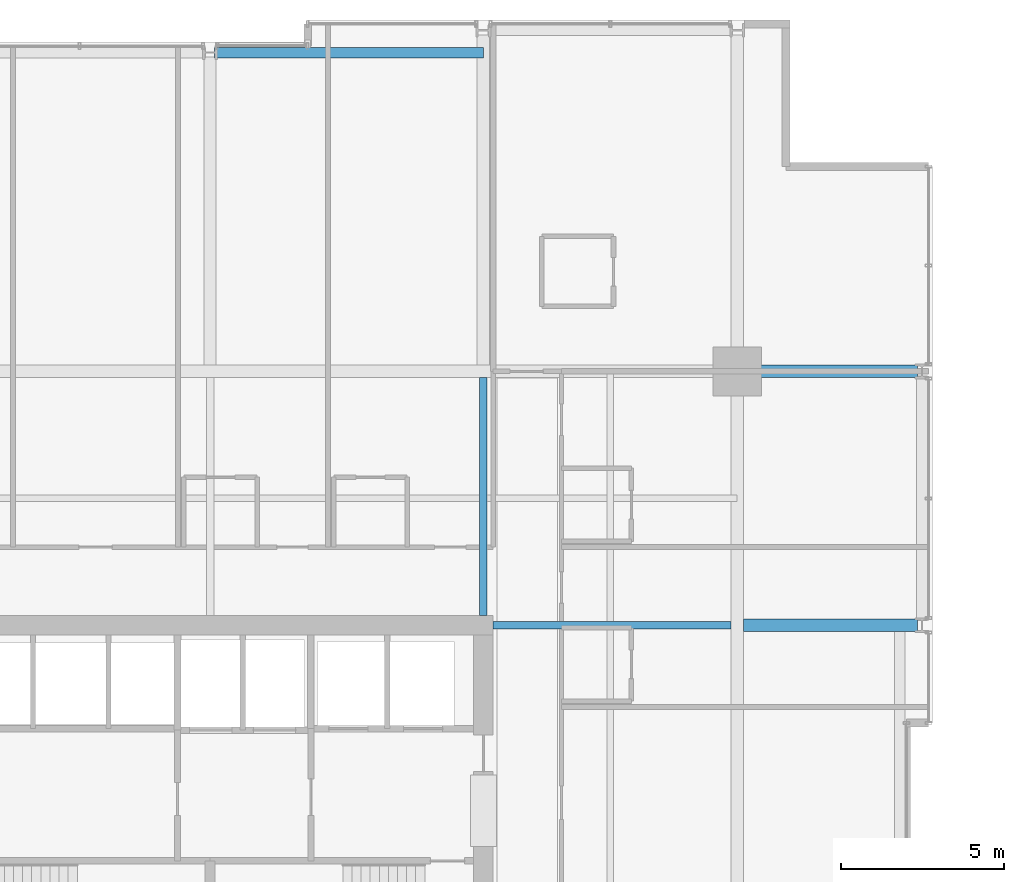
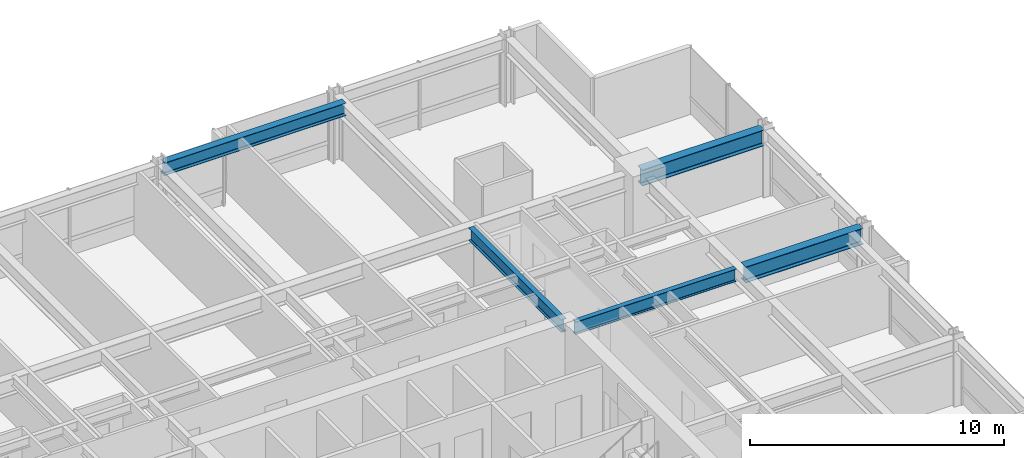
# One storey, part 23 of 35: 5 beams.
"""IFC4 building model written with IfcOpenShell, lengths in metres."""

import ifcopenshell
import ifcopenshell.guid

model = None  # the IFC model being written
_history = None  # IfcOwnerHistory: only IFC2X3 demands one
_inside = {}  # id of a spatial element -> (the spatial element, [elements in it])
_under = {}  # id of a project, library or spatial element -> (it, [spatial elements below it])
_declared = {}  # id of a project -> (the project, [libraries it declares])
_typed = {}  # id of a type object -> (the type object, [elements of that type])
_made_of = {}  # id of a material, layer set ... -> (it, [elements and type objects made of it])


def new_model(schema):
    """Start an empty IFC model of exactly this schema.

    Asked for "IFC4X3", IfcOpenShell would pick the latest addendum, in which some entities
    have other attributes; the version numbers below select the first issue.
    IFC2X3 requires an IfcOwnerHistory on every rooted entity: one is made here for all.
    """
    global model, _history
    if schema == "IFC4X3":
        model = ifcopenshell.file(schema_version=(4, 3, 0, 0))
    else:
        model = ifcopenshell.file(schema=schema)
    _inside.clear()
    _under.clear()
    _declared.clear()
    _typed.clear()
    _made_of.clear()
    _history = None
    if model.schema == "IFC2X3":
        org = make("IfcOrganization", Name="unknown")
        user = make(
            "IfcPersonAndOrganization",
            ThePerson=make("IfcPerson", FamilyName="unknown"),
            TheOrganization=org,
        )
        app = make(
            "IfcApplication",
            ApplicationDeveloper=org,
            Version="unknown",
            ApplicationFullName="unknown",
            ApplicationIdentifier="unknown",
        )
        _history = make(
            "IfcOwnerHistory",
            OwningUser=user,
            OwningApplication=app,
            ChangeAction="ADDED",
            CreationDate=0,
        )
    return model


def make(cls, **values):
    """One entity of the class cls with the attributes given. An attribute that is None is left unset."""
    return model.create_entity(
        cls, **{name: value for name, value in values.items() if value is not None}
    )


def rooted(cls, **values):
    """An entity with a GlobalId (a new one), such as an element, a storey or a relation."""
    return make(cls, GlobalId=ifcopenshell.guid.new(), OwnerHistory=_history, **values)


def si_unit(unit_type, name, prefix=None):
    """IfcSIUnit, for example si_unit("LENGTHUNIT", "METRE", prefix="MILLI")."""
    return make("IfcSIUnit", UnitType=unit_type, Prefix=prefix, Name=name)


def assignment(units):
    """IfcUnitAssignment: the units of a project."""
    return None if units is None else make("IfcUnitAssignment", Units=units)


def point(xyz):
    """IfcCartesianPoint."""
    return None if xyz is None else make("IfcCartesianPoint", Coordinates=xyz)


def direction(xyz):
    """IfcDirection."""
    return None if xyz is None else make("IfcDirection", DirectionRatios=xyz)


def frame(location, z_axis=None, x_axis=None):
    """IfcAxis2Placement3D, a coordinate frame: its origin and axes. An axis left out is left unset."""
    return make(
        "IfcAxis2Placement3D",
        Location=point(location),
        Axis=direction(z_axis),
        RefDirection=direction(x_axis),
    )


def frame_2d(location, x_axis=None):
    """IfcAxis2Placement2D, a coordinate frame in the plane: its origin and x axis."""
    return make(
        "IfcAxis2Placement2D", Location=point(location), RefDirection=direction(x_axis)
    )


def origin():
    """The frame at (0, 0, 0) with its axes left unset."""
    return frame((0.0, 0.0, 0.0))


def origin_2d():
    """The frame at (0, 0) in the plane with its x axis left unset."""
    return frame_2d((0.0, 0.0))


def place(relative_to, where):
    """IfcLocalPlacement: puts the frame where relative to a parent placement (None: the world)."""
    return make(
        "IfcLocalPlacement", PlacementRelTo=relative_to, RelativePlacement=where
    )


def context(
    kind, dimensions, precision=None, world=None, true_north=None, identifier=None
):
    """IfcGeometricRepresentationContext, for example the 3D "Model" context."""
    return make(
        "IfcGeometricRepresentationContext",
        ContextIdentifier=identifier,
        ContextType=kind,
        CoordinateSpaceDimension=dimensions,
        Precision=precision,
        WorldCoordinateSystem=world,
        TrueNorth=true_north,
    )


def subcontext(parent, identifier, kind, view, scale=None):
    """IfcGeometricRepresentationSubContext, for example "Body" below "Model"."""
    return make(
        "IfcGeometricRepresentationSubContext",
        ContextIdentifier=identifier,
        ContextType=kind,
        ParentContext=parent,
        TargetScale=scale,
        TargetView=view,
    )


def project(units=None, contexts=None):
    """IfcProject with its units and contexts."""
    return rooted(
        "IfcProject",
        Name="project",
        RepresentationContexts=contexts,
        UnitsInContext=assignment(units),
    )


def spatial(cls, under=None, at=None, **own):
    """A site, building, storey or space (cls), placed at a placement, below another one or the project."""
    s = rooted(cls, ObjectPlacement=at, **own)
    if under is not None:
        _under.setdefault(under.id(), (under, []))[1].append(s)
    return s


def profile(cls, at=None, kind="AREA", **sizes):
    """A parametric profile (cls). Its sizes go by their IFC names, for example OverallWidth=200.0."""
    return make(cls, ProfileType=kind, Position=at, **sizes)


def i_section(**sizes):
    """IfcIShapeProfileDef."""
    return profile("IfcIShapeProfileDef", **sizes)


def extrude(swept, where, along, depth):
    """IfcExtrudedAreaSolid: the profile swept, set in the frame where, extruded along a direction by depth."""
    return make(
        "IfcExtrudedAreaSolid",
        SweptArea=swept,
        Position=where,
        ExtrudedDirection=direction(along),
        Depth=depth,
    )


def shape(context_of_items, identifier, shape_type, items):
    """IfcShapeRepresentation: the items that make up one representation, for example the "Body"."""
    return make(
        "IfcShapeRepresentation",
        ContextOfItems=context_of_items,
        RepresentationIdentifier=identifier,
        RepresentationType=shape_type,
        Items=items,
    )


def material(Name=None, Category=None):
    """IfcMaterial."""
    return make("IfcMaterial", Name=Name, Category=Category)


def material_profile(
    of_material, cross_section, Name=None, Category=None, Priority=None
):
    """IfcMaterialProfile: a cross section and its material."""
    return make(
        "IfcMaterialProfile",
        Name=Name,
        Material=of_material,
        Profile=cross_section,
        Priority=Priority,
        Category=Category,
    )


def profile_set(profiles, Name=None, composite=None):
    """IfcMaterialProfileSet."""
    return make(
        "IfcMaterialProfileSet",
        Name=Name,
        MaterialProfiles=profiles,
        CompositeProfile=composite,
    )


def made_of(thing, what):
    """Note that an element or type object is made of a material, layer set ...; save() writes the relation."""
    if what is not None:
        _made_of.setdefault(what.id(), (what, []))[1].append(thing)
    return thing


def type_object(cls, material=None, **own):
    """A type object (cls), such as IfcWallType, which elements share."""
    return made_of(rooted(cls, **own), material)


def element(
    cls,
    number,
    at=None,
    inside=None,
    cuts=None,
    type_object=None,
    material=None,
    context=None,
    identifier="Body",
    shape_type=None,
    held_by="IfcProductDefinitionShape",
    body=None,
    shapes=None,
    **own,
):
    """One element of the class cls, such as IfcWall. Its Tag is "e" and its number.

    at: its placement. inside: the storey or other place that contains it. cuts: it is an
    opening in that element (IfcRelVoidsElement). A single representation is given by context,
    identifier, shape_type and body (its items); several are given by shapes. held_by: the class
    of the entity that holds the representations. save() writes the other relations.
    """
    e = rooted(cls, Tag="e%d" % number, ObjectPlacement=at, **own)
    if body is not None:
        shapes = [shape(context, identifier, shape_type, body)]
    if shapes is not None:
        e.Representation = make(held_by, Representations=shapes)
    if inside is not None:
        _inside.setdefault(inside.id(), (inside, []))[1].append(e)
    if cuts is not None:
        rooted(
            "IfcRelVoidsElement", RelatingBuildingElement=cuts, RelatedOpeningElement=e
        )
    if type_object is not None:
        _typed.setdefault(type_object.id(), (type_object, []))[1].append(e)
    return made_of(e, material)


def aggregate(whole, parts):
    """IfcRelAggregates: a whole, such as a stair, and the parts it consists of."""
    return rooted("IfcRelAggregates", RelatingObject=whole, RelatedObjects=parts)


def save(model, path):
    """Write the relations noted so far, then the file.

    IfcRelAggregates (storeys below a building ...), IfcRelContainedInSpatialStructure (elements
    in a storey), IfcRelDefinesByType, IfcRelAssociatesMaterial and IfcRelDeclares: one each for
    every whole, place, type object, material and project.
    """
    for whole, parts in _under.values():
        aggregate(whole, parts)
    for where, things in _inside.values():
        rooted(
            "IfcRelContainedInSpatialStructure",
            RelatedElements=things,
            RelatingStructure=where,
        )
    for kind, things in _typed.values():
        rooted("IfcRelDefinesByType", RelatedObjects=things, RelatingType=kind)
    for what, things in _made_of.values():
        rooted("IfcRelAssociatesMaterial", RelatedObjects=things, RelatingMaterial=what)
    for by, libraries in _declared.values():
        rooted("IfcRelDeclares", RelatingContext=by, RelatedDefinitions=libraries)
    model.write(path)


model = new_model("IFC4")

# Units and contexts
model_context = context("Model", 3, precision=1e-05, world=origin(), true_north=direction((0.0, 1.0)))
body_context = subcontext(model_context, "Body", "Model", "MODEL_VIEW")
ifc_project = project(units=[si_unit("LENGTHUNIT", "METRE"), si_unit("AREAUNIT", "SQUARE_METRE"), si_unit("VOLUMEUNIT", "CUBIC_METRE"), si_unit("PLANEANGLEUNIT", "RADIAN"), si_unit("MASSUNIT", "GRAM", prefix="KILO")], contexts=[model_context])

# Site, building, storey
site_placement = place(None, origin())
site = spatial("IfcSite", under=ifc_project, at=site_placement, CompositionType="ELEMENT")
building_placement = place(site_placement, origin())
building = spatial("IfcBuilding", under=site, at=building_placement, Name="Drelvath Grand Hotel", CompositionType="ELEMENT")
storey_placement = place(building_placement, frame((0.0, 0.0, 95.300048828125)))
storey = spatial("IfcBuildingStorey", under=building, at=storey_placement, Name="L23", CompositionType="ELEMENT", Elevation=95.300048828125)

# Beams
ifc_material = material(Name="Steel ASTM A992 Gr 50", Category="steel")
ifc_material_profile_1 = material_profile(ifc_material, i_section(OverallWidth=0.323974609375, OverallDepth=0.611083984375, WebThickness=0.0126953125, FlangeThickness=0.01904296875, FilletRadius=0.02197265625, at=origin_2d()), Name="W24X104")
ifc_profile_set_1 = profile_set([ifc_material_profile_1], Name="Steel ASTM A992 Gr 50")
beam_type_1 = type_object("IfcBeamType", Name="Perimeter Spandrel Beam W24X104", PredefinedType="SPANDREL", material=ifc_profile_set_1)
beam_1_placement = place(storey_placement, frame((0.139892578125, 53.0, 2.9345703125), z_axis=(1.0, 0.0, 0.0), x_axis=(0.0, 1.0, 0.0)))
element("IfcBeam", 1, at=beam_1_placement, inside=storey, type_object=beam_type_1, Name="L23 Spandrel North Mid E", PredefinedType="SPANDREL", context=body_context, shape_type="SweptSolid", body=[
    extrude(i_section(OverallWidth=0.323974609375, OverallDepth=0.611083984375, WebThickness=0.0126953125, FlangeThickness=0.01904296875, FilletRadius=0.02197265625, at=origin_2d()), origin(), (0.0, 0.0, 1.0), 8.260009765625),
])
ifc_material_profile_2 = material_profile(ifc_material, i_section(OverallWidth=0.228271484375, OverallDepth=0.607666015625, WebThickness=0.01123046875, FlangeThickness=0.017333984375, FilletRadius=0.02001953125, at=origin_2d()), Name="W24X76")
ifc_profile_set_2 = profile_set([ifc_material_profile_2], Name="Steel ASTM A992 Gr 50")
beam_type_2 = type_object("IfcBeamType", Name="Primary Floor Girder W24X76", PredefinedType="BEAM", material=ifc_profile_set_2)
for number, where, z_axis, x_axis, name in (
    (2, (8.699951171875, 35.39990234375, 2.93603515625), (1.0, 0.0, 0.0), (0.0, 1.0, 0.0), "L23 East Core Tie F"),
    (3, (8.39990234375, 35.699951171875, 2.93603515625), (0.0, 1.0, 0.0), (-1.0, 0.0, 0.0), "L23 North Core Tie 6"),
):
    element("IfcBeam", number, at=place(storey_placement, frame(where, z_axis=z_axis, x_axis=x_axis)), inside=storey, type_object=beam_type_2, Name=name, PredefinedType="BEAM", context=body_context, shape_type="SweptSolid", body=[
        extrude(i_section(OverallWidth=0.228271484375, OverallDepth=0.607666015625, WebThickness=0.01123046875, FlangeThickness=0.017333984375, FilletRadius=0.02001953125, at=origin_2d()), origin(), (0.0, 0.0, 1.0), 7.309814453125),
    ])
ifc_material_profile_3 = material_profile(ifc_material, i_section(OverallWidth=0.380615234375, OverallDepth=0.773193359375, WebThickness=0.0166015625, FlangeThickness=0.027099609375, FilletRadius=0.02490234375, at=origin_2d()), Name="W30X173")
ifc_profile_set_3 = profile_set([ifc_material_profile_3], Name="Steel ASTM A992 Gr 50")
beam_type_3 = type_object("IfcBeamType", Name="Primary Floor Girder W30X173", PredefinedType="BEAM", material=ifc_profile_set_3)
beam_2_placement = place(storey_placement, frame((16.199951171875, 43.199951171875, 2.853271484375), z_axis=(1.0, 0.0, 0.0), x_axis=(0.0, 1.0, 0.0)))
element("IfcBeam", 4, at=beam_2_placement, inside=storey, type_object=beam_type_3, Name="L23 East Grid Girder G", PredefinedType="BEAM", context=body_context, shape_type="SweptSolid", body=[
    extrude(i_section(OverallWidth=0.380615234375, OverallDepth=0.773193359375, WebThickness=0.0166015625, FlangeThickness=0.027099609375, FilletRadius=0.02490234375, at=origin_2d()), origin(), (0.0, 0.0, 1.0), 5.5400390625),
])
beam_3_placement = place(storey_placement, frame((16.390380859375, 35.39990234375, 2.853271484375), z_axis=(1.0, 0.0, 0.0), x_axis=(0.0, 1.0, 0.0)))
element("IfcBeam", 5, at=beam_3_placement, inside=storey, type_object=beam_type_3, Name="L23 East Wing Girder F", PredefinedType="BEAM", context=body_context, shape_type="SweptSolid", body=[
    extrude(i_section(OverallWidth=0.380615234375, OverallDepth=0.773193359375, WebThickness=0.0166015625, FlangeThickness=0.027099609375, FilletRadius=0.02490234375, at=origin_2d()), origin(), (0.0, 0.0, 1.0), 5.349609375),
])

save(model, "model.ifc")
